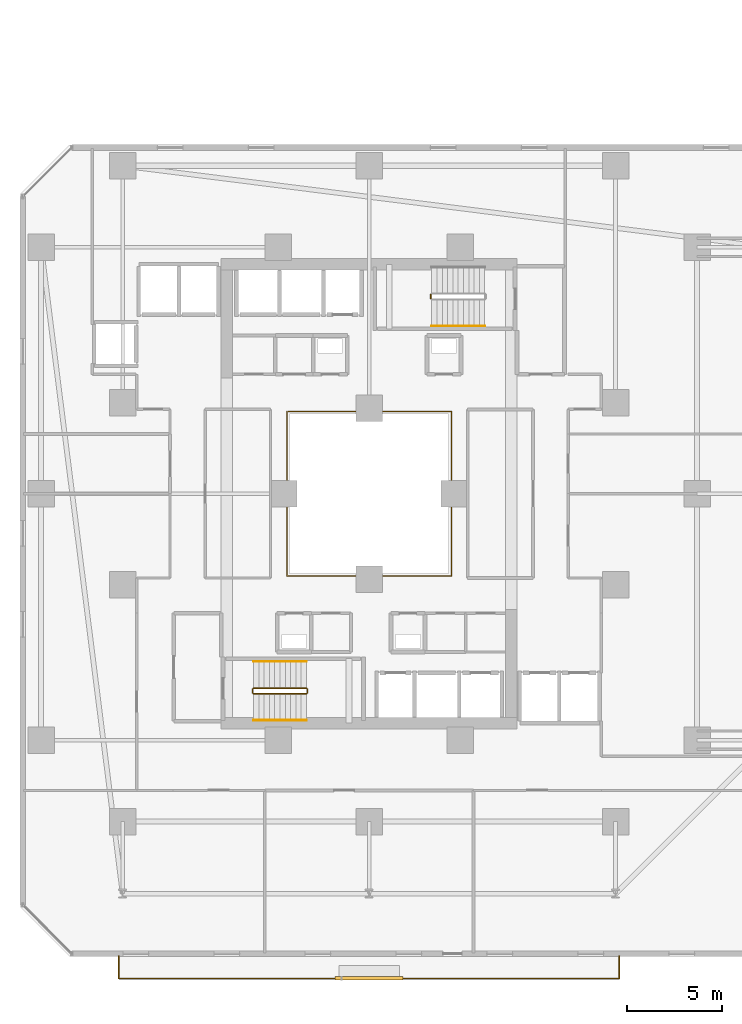
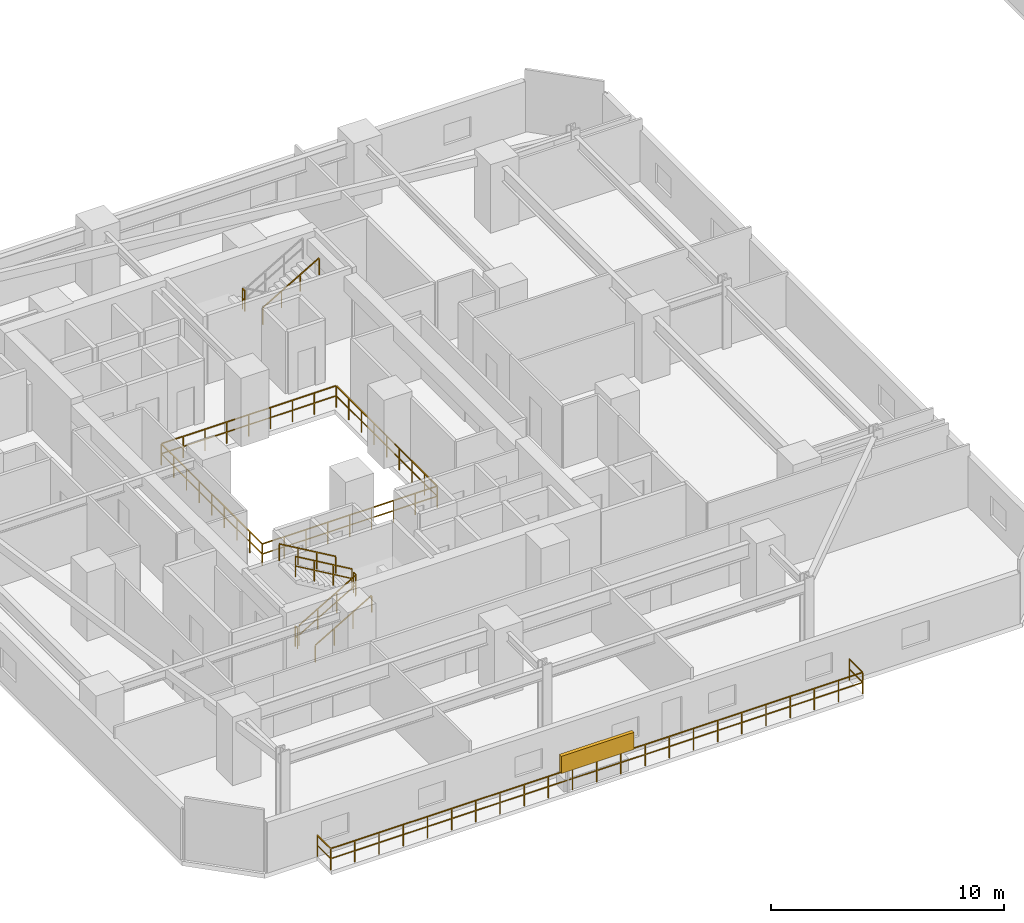
# One storey, part 33 of 36: 10 railings, 1 shading device.
"""IFC4 building model written with IfcOpenShell, lengths in metres."""

from ifc_helpers import new_model, si_unit, direction, frame, origin, origin_2d, place, context, subcontext, project, spatial, rectangle, extrude, material, type_object, element, save


model = new_model("IFC4")

# Units and contexts
model_context = context("Model", 3, precision=1e-05, world=origin(), true_north=direction((0.0, 1.0)))
body_context = subcontext(model_context, "Body", "Model", "MODEL_VIEW")
ifc_project = project(units=[si_unit("LENGTHUNIT", "METRE"), si_unit("AREAUNIT", "SQUARE_METRE"), si_unit("VOLUMEUNIT", "CUBIC_METRE"), si_unit("PLANEANGLEUNIT", "RADIAN"), si_unit("MASSUNIT", "GRAM", prefix="KILO")], contexts=[model_context])

# Site, building, storey
site_placement = place(None, origin())
site = spatial("IfcSite", under=ifc_project, at=site_placement, CompositionType="ELEMENT")
building_placement = place(site_placement, origin())
building = spatial("IfcBuilding", under=site, at=building_placement, Name="Thornwick Lancets Civic Towers", CompositionType="ELEMENT")
storey_placement = place(building_placement, frame((0.0, 0.0, 68.10009765625)))
storey = spatial("IfcBuildingStorey", under=building, at=storey_placement, Name="L17", CompositionType="ELEMENT", Elevation=68.10009765625)

# Railings
ifc_material_1 = material(Name="Laminated glass and bronze steel S355", Category="steel")
railing_type_1 = type_object("IfcRailingType", Name="RAIL_ATRIUM_GUARD", PredefinedType="BALUSTRADE", material=ifc_material_1)
railing_1_placement = place(storey_placement, frame((21.159912109375, 22.659912109375, 0.0)))
element("IfcRailing", 1, at=railing_1_placement, inside=storey, type_object=railing_type_1, Name="L17 Tower A Central Atrium Guard Balustrade", PredefinedType="BALUSTRADE", context=body_context, shape_type="SweptSolid", body=[
    extrude(rectangle(XDim=0.048095703125, YDim=0.048095703125, at=origin_2d()), frame((0.0, 0.0, 1.1259765625), z_axis=(1.0, 0.0, 0.0), x_axis=(0.0, 1.0, 0.0)), (0.0, 0.0, 1.0), 8.64892578125),
    extrude(rectangle(XDim=0.0419921875, YDim=0.0419921875, at=origin_2d()), frame((0.03759765625, 0.0, 0.597900390625), z_axis=(1.0, 0.0, 0.0), x_axis=(0.0, 1.0, 0.0)), (0.0, 0.0, 1.0), 1.010009765625),
    extrude(rectangle(XDim=0.0419921875, YDim=0.0419921875, at=origin_2d()), frame((1.12255859375, 0.0, 0.597900390625), z_axis=(1.0, 0.0, 0.0), x_axis=(0.0, 1.0, 0.0)), (0.0, 0.0, 1.0), 1.010009765625),
    extrude(rectangle(XDim=0.0419921875, YDim=0.0419921875, at=origin_2d()), frame((2.20751953125, 0.0, 0.597900390625), z_axis=(1.0, 0.0, 0.0), x_axis=(0.0, 1.0, 0.0)), (0.0, 0.0, 1.0), 1.010009765625),
    extrude(rectangle(XDim=0.0419921875, YDim=0.0419921875, at=origin_2d()), frame((3.29248046875, 0.0, 0.597900390625), z_axis=(1.0, 0.0, 0.0), x_axis=(0.0, 1.0, 0.0)), (0.0, 0.0, 1.0), 1.010009765625),
    extrude(rectangle(XDim=0.0419921875, YDim=0.0419921875, at=origin_2d()), frame((4.377685546875, 0.0, 0.597900390625), z_axis=(1.0, 0.0, 0.0), x_axis=(0.0, 1.0, 0.0)), (0.0, 0.0, 1.0), 1.010009765625),
    extrude(rectangle(XDim=0.0419921875, YDim=0.0419921875, at=origin_2d()), frame((5.462646484375, 0.0, 0.597900390625), z_axis=(1.0, 0.0, 0.0), x_axis=(0.0, 1.0, 0.0)), (0.0, 0.0, 1.0), 1.010009765625),
    extrude(rectangle(XDim=0.0419921875, YDim=0.0419921875, at=origin_2d()), frame((6.547607421875, 0.0, 0.597900390625), z_axis=(1.0, 0.0, 0.0), x_axis=(0.0, 1.0, 0.0)), (0.0, 0.0, 1.0), 1.010009765625),
    extrude(rectangle(XDim=0.0419921875, YDim=0.0419921875, at=origin_2d()), frame((7.632568359375, 0.0, 0.597900390625), z_axis=(1.0, 0.0, 0.0), x_axis=(0.0, 1.0, 0.0)), (0.0, 0.0, 1.0), 1.010009765625),
    extrude(rectangle(XDim=0.048095703125, YDim=0.048095703125, at=origin_2d()), frame((8.68017578125, 0.03125, 1.1259765625), z_axis=(0.0, 1.0, 0.0), x_axis=(-1.0, 0.0, 0.0)), (0.0, 0.0, 1.0), 8.61767578125),
    extrude(rectangle(XDim=0.0419921875, YDim=0.0419921875, at=origin_2d()), frame((8.68017578125, 0.03759765625, 0.597900390625), z_axis=(0.0, 1.0, 0.0), x_axis=(-1.0, 0.0, 0.0)), (0.0, 0.0, 1.0), 1.010009765625),
    extrude(rectangle(XDim=0.0419921875, YDim=0.0419921875, at=origin_2d()), frame((8.68017578125, 1.12255859375, 0.597900390625), z_axis=(0.0, 1.0, 0.0), x_axis=(-1.0, 0.0, 0.0)), (0.0, 0.0, 1.0), 1.010009765625),
    extrude(rectangle(XDim=0.0419921875, YDim=0.0419921875, at=origin_2d()), frame((8.68017578125, 2.20751953125, 0.597900390625), z_axis=(0.0, 1.0, 0.0), x_axis=(-1.0, 0.0, 0.0)), (0.0, 0.0, 1.0), 1.010009765625),
    extrude(rectangle(XDim=0.0419921875, YDim=0.0419921875, at=origin_2d()), frame((8.68017578125, 3.29248046875, 0.597900390625), z_axis=(0.0, 1.0, 0.0), x_axis=(-1.0, 0.0, 0.0)), (0.0, 0.0, 1.0), 1.010009765625),
    extrude(rectangle(XDim=0.0419921875, YDim=0.0419921875, at=origin_2d()), frame((8.68017578125, 4.377685546875, 0.597900390625), z_axis=(0.0, 1.0, 0.0), x_axis=(-1.0, 0.0, 0.0)), (0.0, 0.0, 1.0), 1.010009765625),
    extrude(rectangle(XDim=0.0419921875, YDim=0.0419921875, at=origin_2d()), frame((8.68017578125, 5.462646484375, 0.597900390625), z_axis=(0.0, 1.0, 0.0), x_axis=(-1.0, 0.0, 0.0)), (0.0, 0.0, 1.0), 1.010009765625),
    extrude(rectangle(XDim=0.0419921875, YDim=0.0419921875, at=origin_2d()), frame((8.68017578125, 6.547607421875, 0.597900390625), z_axis=(0.0, 1.0, 0.0), x_axis=(-1.0, 0.0, 0.0)), (0.0, 0.0, 1.0), 1.010009765625),
    extrude(rectangle(XDim=0.0419921875, YDim=0.0419921875, at=origin_2d()), frame((8.68017578125, 7.632568359375, 0.597900390625), z_axis=(0.0, 1.0, 0.0), x_axis=(-1.0, 0.0, 0.0)), (0.0, 0.0, 1.0), 1.010009765625),
    extrude(rectangle(XDim=0.048095703125, YDim=0.048095703125, at=origin_2d()), frame((8.64892578125, 8.68017578125, 1.1259765625), z_axis=(-1.0, 0.0, 0.0), x_axis=(0.0, -1.0, 0.0)), (0.0, 0.0, 1.0), 8.61767578125),
    extrude(rectangle(XDim=0.0419921875, YDim=0.0419921875, at=origin_2d()), frame((8.642578125, 8.68017578125, 0.597900390625), z_axis=(-1.0, 0.0, 0.0), x_axis=(0.0, -1.0, 0.0)), (0.0, 0.0, 1.0), 1.010009765625),
    extrude(rectangle(XDim=0.0419921875, YDim=0.0419921875, at=origin_2d()), frame((7.5576171875, 8.68017578125, 0.597900390625), z_axis=(-1.0, 0.0, 0.0), x_axis=(0.0, -1.0, 0.0)), (0.0, 0.0, 1.0), 1.010009765625),
    extrude(rectangle(XDim=0.0419921875, YDim=0.0419921875, at=origin_2d()), frame((6.47265625, 8.68017578125, 0.597900390625), z_axis=(-1.0, 0.0, 0.0), x_axis=(0.0, -1.0, 0.0)), (0.0, 0.0, 1.0), 1.010009765625),
    extrude(rectangle(XDim=0.0419921875, YDim=0.0419921875, at=origin_2d()), frame((5.3876953125, 8.68017578125, 0.597900390625), z_axis=(-1.0, 0.0, 0.0), x_axis=(0.0, -1.0, 0.0)), (0.0, 0.0, 1.0), 1.010009765625),
    extrude(rectangle(XDim=0.0419921875, YDim=0.0419921875, at=origin_2d()), frame((4.302490234375, 8.68017578125, 0.597900390625), z_axis=(-1.0, 0.0, 0.0), x_axis=(0.0, -1.0, 0.0)), (0.0, 0.0, 1.0), 1.010009765625),
    extrude(rectangle(XDim=0.0419921875, YDim=0.0419921875, at=origin_2d()), frame((3.217529296875, 8.68017578125, 0.597900390625), z_axis=(-1.0, 0.0, 0.0), x_axis=(0.0, -1.0, 0.0)), (0.0, 0.0, 1.0), 1.010009765625),
    extrude(rectangle(XDim=0.0419921875, YDim=0.0419921875, at=origin_2d()), frame((2.132568359375, 8.68017578125, 0.597900390625), z_axis=(-1.0, 0.0, 0.0), x_axis=(0.0, -1.0, 0.0)), (0.0, 0.0, 1.0), 1.010009765625),
    extrude(rectangle(XDim=0.0419921875, YDim=0.0419921875, at=origin_2d()), frame((1.047607421875, 8.68017578125, 0.597900390625), z_axis=(-1.0, 0.0, 0.0), x_axis=(0.0, -1.0, 0.0)), (0.0, 0.0, 1.0), 1.010009765625),
    extrude(rectangle(XDim=0.048095703125, YDim=0.048095703125, at=origin_2d()), frame((0.0, 8.64892578125, 1.1259765625), z_axis=(0.0, -1.0, 0.0), x_axis=(1.0, 0.0, 0.0)), (0.0, 0.0, 1.0), 8.64892578125),
    extrude(rectangle(XDim=0.0419921875, YDim=0.0419921875, at=origin_2d()), frame((0.0, 8.642578125, 0.597900390625), z_axis=(0.0, -1.0, 0.0), x_axis=(1.0, 0.0, 0.0)), (0.0, 0.0, 1.0), 1.010009765625),
    extrude(rectangle(XDim=0.0419921875, YDim=0.0419921875, at=origin_2d()), frame((0.0, 7.5576171875, 0.597900390625), z_axis=(0.0, -1.0, 0.0), x_axis=(1.0, 0.0, 0.0)), (0.0, 0.0, 1.0), 1.010009765625),
    extrude(rectangle(XDim=0.0419921875, YDim=0.0419921875, at=origin_2d()), frame((0.0, 6.47265625, 0.597900390625), z_axis=(0.0, -1.0, 0.0), x_axis=(1.0, 0.0, 0.0)), (0.0, 0.0, 1.0), 1.010009765625),
    extrude(rectangle(XDim=0.0419921875, YDim=0.0419921875, at=origin_2d()), frame((0.0, 5.3876953125, 0.597900390625), z_axis=(0.0, -1.0, 0.0), x_axis=(1.0, 0.0, 0.0)), (0.0, 0.0, 1.0), 1.010009765625),
    extrude(rectangle(XDim=0.0419921875, YDim=0.0419921875, at=origin_2d()), frame((0.0, 4.302490234375, 0.597900390625), z_axis=(0.0, -1.0, 0.0), x_axis=(1.0, 0.0, 0.0)), (0.0, 0.0, 1.0), 1.010009765625),
    extrude(rectangle(XDim=0.0419921875, YDim=0.0419921875, at=origin_2d()), frame((0.0, 3.217529296875, 0.597900390625), z_axis=(0.0, -1.0, 0.0), x_axis=(1.0, 0.0, 0.0)), (0.0, 0.0, 1.0), 1.010009765625),
    extrude(rectangle(XDim=0.0419921875, YDim=0.0419921875, at=origin_2d()), frame((0.0, 2.132568359375, 0.597900390625), z_axis=(0.0, -1.0, 0.0), x_axis=(1.0, 0.0, 0.0)), (0.0, 0.0, 1.0), 1.010009765625),
    extrude(rectangle(XDim=0.0419921875, YDim=0.0419921875, at=origin_2d()), frame((0.0, 1.047607421875, 0.597900390625), z_axis=(0.0, -1.0, 0.0), x_axis=(1.0, 0.0, 0.0)), (0.0, 0.0, 1.0), 1.010009765625),
    extrude(rectangle(XDim=0.0419921875, YDim=0.0419921875, at=origin_2d()), origin(), (0.0, 0.0, 1.0), 1.095703125),
    extrude(rectangle(XDim=0.0419921875, YDim=0.0419921875, at=origin_2d()), frame((1.0849609375, 0.0, 0.0)), (0.0, 0.0, 1.0), 1.095703125),
    extrude(rectangle(XDim=0.0419921875, YDim=0.0419921875, at=origin_2d()), frame((2.169921875, 0.0, 0.0)), (0.0, 0.0, 1.0), 1.095703125),
    extrude(rectangle(XDim=0.0419921875, YDim=0.0419921875, at=origin_2d()), frame((3.255126953125, 0.0, 0.0)), (0.0, 0.0, 1.0), 1.095703125),
    extrude(rectangle(XDim=0.0419921875, YDim=0.0419921875, at=origin_2d()), frame((4.340087890625, 0.0, 0.0)), (0.0, 0.0, 1.0), 1.095703125),
    extrude(rectangle(XDim=0.0419921875, YDim=0.0419921875, at=origin_2d()), frame((5.425048828125, 0.0, 0.0)), (0.0, 0.0, 1.0), 1.095703125),
    extrude(rectangle(XDim=0.0419921875, YDim=0.0419921875, at=origin_2d()), frame((6.51025390625, 0.0, 0.0)), (0.0, 0.0, 1.0), 1.095703125),
    extrude(rectangle(XDim=0.0419921875, YDim=0.0419921875, at=origin_2d()), frame((7.59521484375, 0.0, 0.0)), (0.0, 0.0, 1.0), 1.095703125),
    extrude(rectangle(XDim=0.0419921875, YDim=0.0419921875, at=origin_2d()), frame((8.68017578125, 0.0, 0.0)), (0.0, 0.0, 1.0), 1.095703125),
    extrude(rectangle(XDim=0.0419921875, YDim=0.0419921875, at=origin_2d()), frame((8.68017578125, 1.0849609375, 0.0)), (0.0, 0.0, 1.0), 1.095703125),
    extrude(rectangle(XDim=0.0419921875, YDim=0.0419921875, at=origin_2d()), frame((8.68017578125, 2.169921875, 0.0)), (0.0, 0.0, 1.0), 1.095703125),
    extrude(rectangle(XDim=0.0419921875, YDim=0.0419921875, at=origin_2d()), frame((8.68017578125, 3.255126953125, 0.0)), (0.0, 0.0, 1.0), 1.095703125),
    extrude(rectangle(XDim=0.0419921875, YDim=0.0419921875, at=origin_2d()), frame((8.68017578125, 4.340087890625, 0.0)), (0.0, 0.0, 1.0), 1.095703125),
    extrude(rectangle(XDim=0.0419921875, YDim=0.0419921875, at=origin_2d()), frame((8.68017578125, 5.425048828125, 0.0)), (0.0, 0.0, 1.0), 1.095703125),
    extrude(rectangle(XDim=0.0419921875, YDim=0.0419921875, at=origin_2d()), frame((8.68017578125, 6.51025390625, 0.0)), (0.0, 0.0, 1.0), 1.095703125),
    extrude(rectangle(XDim=0.0419921875, YDim=0.0419921875, at=origin_2d()), frame((8.68017578125, 7.59521484375, 0.0)), (0.0, 0.0, 1.0), 1.095703125),
    extrude(rectangle(XDim=0.0419921875, YDim=0.0419921875, at=origin_2d()), frame((8.68017578125, 8.68017578125, 0.0)), (0.0, 0.0, 1.0), 1.095703125),
    extrude(rectangle(XDim=0.0419921875, YDim=0.0419921875, at=origin_2d()), frame((7.59521484375, 8.68017578125, 0.0)), (0.0, 0.0, 1.0), 1.095703125),
    extrude(rectangle(XDim=0.0419921875, YDim=0.0419921875, at=origin_2d()), frame((6.51025390625, 8.68017578125, 0.0)), (0.0, 0.0, 1.0), 1.095703125),
    extrude(rectangle(XDim=0.0419921875, YDim=0.0419921875, at=origin_2d()), frame((5.425048828125, 8.68017578125, 0.0)), (0.0, 0.0, 1.0), 1.095703125),
    extrude(rectangle(XDim=0.0419921875, YDim=0.0419921875, at=origin_2d()), frame((4.340087890625, 8.68017578125, 0.0)), (0.0, 0.0, 1.0), 1.095703125),
    extrude(rectangle(XDim=0.0419921875, YDim=0.0419921875, at=origin_2d()), frame((3.255126953125, 8.68017578125, 0.0)), (0.0, 0.0, 1.0), 1.095703125),
    extrude(rectangle(XDim=0.0419921875, YDim=0.0419921875, at=origin_2d()), frame((2.169921875, 8.68017578125, 0.0)), (0.0, 0.0, 1.0), 1.095703125),
    extrude(rectangle(XDim=0.0419921875, YDim=0.0419921875, at=origin_2d()), frame((1.0849609375, 8.68017578125, 0.0)), (0.0, 0.0, 1.0), 1.095703125),
    extrude(rectangle(XDim=0.0419921875, YDim=0.0419921875, at=origin_2d()), frame((0.0, 8.68017578125, 0.0)), (0.0, 0.0, 1.0), 1.095703125),
    extrude(rectangle(XDim=0.0419921875, YDim=0.0419921875, at=origin_2d()), frame((0.0, 7.59521484375, 0.0)), (0.0, 0.0, 1.0), 1.095703125),
    extrude(rectangle(XDim=0.0419921875, YDim=0.0419921875, at=origin_2d()), frame((0.0, 6.51025390625, 0.0)), (0.0, 0.0, 1.0), 1.095703125),
    extrude(rectangle(XDim=0.0419921875, YDim=0.0419921875, at=origin_2d()), frame((0.0, 5.425048828125, 0.0)), (0.0, 0.0, 1.0), 1.095703125),
    extrude(rectangle(XDim=0.0419921875, YDim=0.0419921875, at=origin_2d()), frame((0.0, 4.340087890625, 0.0)), (0.0, 0.0, 1.0), 1.095703125),
    extrude(rectangle(XDim=0.0419921875, YDim=0.0419921875, at=origin_2d()), frame((0.0, 3.255126953125, 0.0)), (0.0, 0.0, 1.0), 1.095703125),
    extrude(rectangle(XDim=0.0419921875, YDim=0.0419921875, at=origin_2d()), frame((0.0, 2.169921875, 0.0)), (0.0, 0.0, 1.0), 1.095703125),
    extrude(rectangle(XDim=0.0419921875, YDim=0.0419921875, at=origin_2d()), frame((0.0, 1.0849609375, 0.0)), (0.0, 0.0, 1.0), 1.095703125),
])
ifc_material_2 = material(Name="Brushed stainless steel S355", Category="steel")
railing_type_2 = type_object("IfcRailingType", Name="RAIL_HANDRAIL", PredefinedType="HANDRAIL", material=ifc_material_2)
railing_2_placement = place(storey_placement, frame((19.39990234375, 15.050048828125, 0.16357421875)))
element("IfcRailing", 2, at=railing_2_placement, inside=storey, type_object=railing_type_2, Name="L17 ST-A1 stair handrail 1", PredefinedType="HANDRAIL", context=body_context, shape_type="SweptSolid", body=[
    extrude(rectangle(XDim=0.048095703125, YDim=0.048095703125, at=origin_2d()), frame((0.0, 0.0, 0.8857421875), z_axis=(0.863393664356, 0.0, 0.504530851732), x_axis=(0.0, 1.0, 0.0)), (0.0, 0.0, 1.0), 3.2431640625),
    extrude(rectangle(XDim=0.0419921875, YDim=0.0419921875, at=origin_2d()), origin(), (0.0, 0.0, 1.0), 0.855712890625),
    extrude(rectangle(XDim=0.0419921875, YDim=0.0419921875, at=origin_2d()), frame((0.933349609375, 0.0, 0.54541015625)), (0.0, 0.0, 1.0), 0.855712890625),
    extrude(rectangle(XDim=0.0419921875, YDim=0.0419921875, at=origin_2d()), frame((1.86669921875, 0.0, 1.0908203125)), (0.0, 0.0, 1.0), 0.855712890625),
    extrude(rectangle(XDim=0.0419921875, YDim=0.0419921875, at=origin_2d()), frame((2.800048828125, 0.0, 1.63623046875)), (0.0, 0.0, 1.0), 0.855712890625),
])
railing_3_placement = place(storey_placement, frame((22.199951171875, 18.14990234375, 1.963623046875)))
element("IfcRailing", 3, at=railing_3_placement, inside=storey, type_object=railing_type_2, Name="L17 ST-A1 stair handrail 2", PredefinedType="HANDRAIL", context=body_context, shape_type="SweptSolid", body=[
    extrude(rectangle(XDim=0.048095703125, YDim=0.048095703125, at=origin_2d()), frame((0.0, 0.0, 0.8857421875), z_axis=(-0.863393664356, 0.0, 0.504530851732), x_axis=(0.0, -1.0, 0.0)), (0.0, 0.0, 1.0), 3.2431640625),
    extrude(rectangle(XDim=0.0419921875, YDim=0.0419921875, at=origin_2d()), origin(), (0.0, 0.0, 1.0), 0.855712890625),
    extrude(rectangle(XDim=0.0419921875, YDim=0.0419921875, at=origin_2d()), frame((-0.933349609375, 0.0, 0.54541015625)), (0.0, 0.0, 1.0), 0.855712890625),
    extrude(rectangle(XDim=0.0419921875, YDim=0.0419921875, at=origin_2d()), frame((-1.86669921875, 0.0, 1.0908203125)), (0.0, 0.0, 1.0), 0.855712890625),
    extrude(rectangle(XDim=0.0419921875, YDim=0.0419921875, at=origin_2d()), frame((-2.800048828125, 0.0, 1.63623046875)), (0.0, 0.0, 1.0), 0.855712890625),
])
railing_4_placement = place(storey_placement, frame((28.800048828125, 35.85009765625, 1.963623046875)))
element("IfcRailing", 4, at=railing_4_placement, inside=storey, type_object=railing_type_2, Name="L17 ST-A2 stair handrail 2", PredefinedType="HANDRAIL", context=body_context, shape_type="SweptSolid", body=[
    extrude(rectangle(XDim=0.048095703125, YDim=0.048095703125, at=origin_2d()), frame((0.0, 0.0, 0.8857421875), z_axis=(0.863393664356, 0.0, 0.504530851732), x_axis=(0.0, 1.0, 0.0)), (0.0, 0.0, 1.0), 3.2431640625),
    extrude(rectangle(XDim=0.0419921875, YDim=0.0419921875, at=origin_2d()), origin(), (0.0, 0.0, 1.0), 0.855712890625),
    extrude(rectangle(XDim=0.0419921875, YDim=0.0419921875, at=origin_2d()), frame((0.933349609375, 0.0, 0.54541015625)), (0.0, 0.0, 1.0), 0.855712890625),
    extrude(rectangle(XDim=0.0419921875, YDim=0.0419921875, at=origin_2d()), frame((1.86669921875, 0.0, 1.0908203125)), (0.0, 0.0, 1.0), 0.855712890625),
    extrude(rectangle(XDim=0.0419921875, YDim=0.0419921875, at=origin_2d()), frame((2.800048828125, 0.0, 1.63623046875)), (0.0, 0.0, 1.0), 0.855712890625),
])
ifc_material_3 = material(Name="Steel S355JR", Category="steel")
railing_type_3 = type_object("IfcRailingType", Name="RAIL_STAIR_GUARD", PredefinedType="GUARDRAIL", material=ifc_material_3)
railing_5_placement = place(storey_placement, frame((19.39990234375, 16.449951171875, 0.16357421875)))
element("IfcRailing", 5, at=railing_5_placement, inside=storey, type_object=railing_type_3, Name="L17 ST-A1 stair guard 1", PredefinedType="GUARDRAIL", context=body_context, shape_type="SweptSolid", body=[
    extrude(rectangle(XDim=0.048095703125, YDim=0.048095703125, at=origin_2d()), frame((0.0, 0.0, 1.076171875), z_axis=(0.863393664356, 0.0, 0.504530851732), x_axis=(0.0, 1.0, 0.0)), (0.0, 0.0, 1.0), 3.2431640625),
    extrude(rectangle(XDim=0.0419921875, YDim=0.0419921875, at=origin_2d()), frame((0.032470703125, 0.0, 0.591064453125), z_axis=(0.863393664356, 0.0, 0.504530851732), x_axis=(0.0, 1.0, 0.0)), (0.0, 0.0, 1.0), 1.006103515625),
    extrude(rectangle(XDim=0.0419921875, YDim=0.0419921875, at=origin_2d()), frame((0.9658203125, 0.0, 1.136474609375), z_axis=(0.863393664356, 0.0, 0.504530851732), x_axis=(0.0, 1.0, 0.0)), (0.0, 0.0, 1.0), 1.006103515625),
    extrude(rectangle(XDim=0.0419921875, YDim=0.0419921875, at=origin_2d()), frame((1.899169921875, 0.0, 1.681884765625), z_axis=(0.863393664356, 0.0, 0.504530851732), x_axis=(0.0, 1.0, 0.0)), (0.0, 0.0, 1.0), 1.006103515625),
    extrude(rectangle(XDim=0.0419921875, YDim=0.0419921875, at=origin_2d()), origin(), (0.0, 0.0, 1.0), 1.0458984375),
    extrude(rectangle(XDim=0.0419921875, YDim=0.0419921875, at=origin_2d()), frame((0.933349609375, 0.0, 0.54541015625)), (0.0, 0.0, 1.0), 1.0458984375),
    extrude(rectangle(XDim=0.0419921875, YDim=0.0419921875, at=origin_2d()), frame((1.86669921875, 0.0, 1.0908203125)), (0.0, 0.0, 1.0), 1.0458984375),
    extrude(rectangle(XDim=0.0419921875, YDim=0.0419921875, at=origin_2d()), frame((2.800048828125, 0.0, 1.63623046875)), (0.0, 0.0, 1.0), 1.0458984375),
])
railing_6_placement = place(storey_placement, frame((22.25, 16.5, 1.7998046875)))
element("IfcRailing", 6, at=railing_6_placement, inside=storey, type_object=railing_type_3, Name="L17 ST-A1 stair guard 2", PredefinedType="GUARDRAIL", context=body_context, shape_type="SweptSolid", body=[
    extrude(rectangle(XDim=0.048095703125, YDim=0.048095703125, at=origin_2d()), frame((0.0, 0.0, 1.076171875), z_axis=(0.0, 1.0, 0.0), x_axis=(-1.0, 0.0, 0.0)), (0.0, 0.0, 1.0), 0.199951171875),
    extrude(rectangle(XDim=0.0419921875, YDim=0.0419921875, at=origin_2d()), frame((0.0, 0.03759765625, 0.572021484375), z_axis=(0.0, 1.0, 0.0), x_axis=(-1.0, 0.0, 0.0)), (0.0, 0.0, 1.0), 0.125),
    extrude(rectangle(XDim=0.0419921875, YDim=0.0419921875, at=origin_2d()), origin(), (0.0, 0.0, 1.0), 1.0458984375),
    extrude(rectangle(XDim=0.0419921875, YDim=0.0419921875, at=origin_2d()), frame((0.0, 0.199951171875, 0.0)), (0.0, 0.0, 1.0), 1.0458984375),
])
railing_7_placement = place(storey_placement, frame((22.199951171875, 16.75, 1.963623046875)))
element("IfcRailing", 7, at=railing_7_placement, inside=storey, type_object=railing_type_3, Name="L17 ST-A1 stair guard 3", PredefinedType="GUARDRAIL", context=body_context, shape_type="SweptSolid", body=[
    extrude(rectangle(XDim=0.048095703125, YDim=0.048095703125, at=origin_2d()), frame((0.0, 0.0, 1.076171875), z_axis=(-0.863393664356, 0.0, 0.504530851732), x_axis=(0.0, -1.0, 0.0)), (0.0, 0.0, 1.0), 3.2431640625),
    extrude(rectangle(XDim=0.0419921875, YDim=0.0419921875, at=origin_2d()), frame((-0.032470703125, 0.0, 0.591064453125), z_axis=(-0.863393664356, 0.0, 0.504530851732), x_axis=(0.0, -1.0, 0.0)), (0.0, 0.0, 1.0), 1.006103515625),
    extrude(rectangle(XDim=0.0419921875, YDim=0.0419921875, at=origin_2d()), frame((-0.9658203125, 0.0, 1.136474609375), z_axis=(-0.863393664356, 0.0, 0.504530851732), x_axis=(0.0, -1.0, 0.0)), (0.0, 0.0, 1.0), 1.006103515625),
    extrude(rectangle(XDim=0.0419921875, YDim=0.0419921875, at=origin_2d()), frame((-1.899169921875, 0.0, 1.681884765625), z_axis=(-0.863393664356, 0.0, 0.504530851732), x_axis=(0.0, -1.0, 0.0)), (0.0, 0.0, 1.0), 1.006103515625),
    extrude(rectangle(XDim=0.0419921875, YDim=0.0419921875, at=origin_2d()), origin(), (0.0, 0.0, 1.0), 1.0458984375),
    extrude(rectangle(XDim=0.0419921875, YDim=0.0419921875, at=origin_2d()), frame((-0.933349609375, 0.0, 0.54541015625)), (0.0, 0.0, 1.0), 1.0458984375),
    extrude(rectangle(XDim=0.0419921875, YDim=0.0419921875, at=origin_2d()), frame((-1.86669921875, 0.0, 1.0908203125)), (0.0, 0.0, 1.0), 1.0458984375),
    extrude(rectangle(XDim=0.0419921875, YDim=0.0419921875, at=origin_2d()), frame((-2.800048828125, 0.0, 1.63623046875)), (0.0, 0.0, 1.0), 1.0458984375),
])
railing_8_placement = place(storey_placement, frame((19.35009765625, 16.5, 0.0)))
element("IfcRailing", 8, at=railing_8_placement, inside=storey, type_object=railing_type_3, Name="L17 ST-A1 stair guard 4", PredefinedType="GUARDRAIL", context=body_context, shape_type="SweptSolid", body=[
    extrude(rectangle(XDim=0.048095703125, YDim=0.048095703125, at=origin_2d()), frame((0.0, 0.0, 1.076171875), z_axis=(0.0, 1.0, 0.0), x_axis=(-1.0, 0.0, 0.0)), (0.0, 0.0, 1.0), 0.199951171875),
    extrude(rectangle(XDim=0.0419921875, YDim=0.0419921875, at=origin_2d()), frame((0.0, 0.03759765625, 0.572021484375), z_axis=(0.0, 1.0, 0.0), x_axis=(-1.0, 0.0, 0.0)), (0.0, 0.0, 1.0), 0.125),
    extrude(rectangle(XDim=0.0419921875, YDim=0.0419921875, at=origin_2d()), origin(), (0.0, 0.0, 1.0), 1.0458984375),
    extrude(rectangle(XDim=0.0419921875, YDim=0.0419921875, at=origin_2d()), frame((0.0, 0.199951171875, 0.0)), (0.0, 0.0, 1.0), 1.0458984375),
])
railing_9_placement = place(storey_placement, frame((28.75, 37.5, 1.7998046875)))
element("IfcRailing", 9, at=railing_9_placement, inside=storey, type_object=railing_type_3, Name="L17 ST-A2 stair guard 2", PredefinedType="GUARDRAIL", context=body_context, shape_type="SweptSolid", body=[
    extrude(rectangle(XDim=0.048095703125, YDim=0.048095703125, at=origin_2d()), frame((0.0, 0.0, 1.076171875), z_axis=(0.0, -1.0, 0.0), x_axis=(1.0, 0.0, 0.0)), (0.0, 0.0, 1.0), 0.199951171875),
    extrude(rectangle(XDim=0.0419921875, YDim=0.0419921875, at=origin_2d()), frame((0.0, -0.03759765625, 0.572021484375), z_axis=(0.0, -1.0, 0.0), x_axis=(1.0, 0.0, 0.0)), (0.0, 0.0, 1.0), 0.125),
    extrude(rectangle(XDim=0.0419921875, YDim=0.0419921875, at=origin_2d()), origin(), (0.0, 0.0, 1.0), 1.0458984375),
    extrude(rectangle(XDim=0.0419921875, YDim=0.0419921875, at=origin_2d()), frame((0.0, -0.199951171875, 0.0)), (0.0, 0.0, 1.0), 1.0458984375),
])
ifc_material_4 = material(Name="Terracotta-capped laminated glass balustrade S355", Category="masonry")
railing_type_4 = type_object("IfcRailingType", Name="RAIL_TERR_GUARD", PredefinedType="GUARDRAIL", material=ifc_material_4)
railing_10_placement = place(storey_placement, frame((12.300048828125, 2.60009765625, 0.0)))
element("IfcRailing", 10, at=railing_10_placement, inside=storey, type_object=railing_type_4, Name="L17 Tower A Balcony Guard S", PredefinedType="GUARDRAIL", context=body_context, shape_type="SweptSolid", body=[
    extrude(rectangle(XDim=0.048095703125, YDim=0.048095703125, at=origin_2d()), frame((0.0, 0.0, 1.1259765625), z_axis=(0.0, -1.0, 0.0), x_axis=(1.0, 0.0, 0.0)), (0.0, 0.0, 1.0), 1.138916015625),
    extrude(rectangle(XDim=0.0419921875, YDim=0.0419921875, at=origin_2d()), frame((0.0, -0.03759765625, 0.597900390625), z_axis=(0.0, -1.0, 0.0), x_axis=(1.0, 0.0, 0.0)), (0.0, 0.0, 1.0), 1.09521484375),
    extrude(rectangle(XDim=0.048095703125, YDim=0.048095703125, at=origin_2d()), frame((0.03125, -1.170166015625, 1.1259765625), z_axis=(1.0, 0.0, 0.0), x_axis=(0.0, 1.0, 0.0)), (0.0, 0.0, 1.0), 26.33740234375),
    extrude(rectangle(XDim=0.0419921875, YDim=0.0419921875, at=origin_2d()), frame((0.03759765625, -1.170166015625, 0.597900390625), z_axis=(1.0, 0.0, 0.0), x_axis=(0.0, 1.0, 0.0)), (0.0, 0.0, 1.0), 1.125),
    extrude(rectangle(XDim=0.0419921875, YDim=0.0419921875, at=origin_2d()), frame((1.237548828125, -1.170166015625, 0.597900390625), z_axis=(1.0, 0.0, 0.0), x_axis=(0.0, 1.0, 0.0)), (0.0, 0.0, 1.0), 1.125),
    extrude(rectangle(XDim=0.0419921875, YDim=0.0419921875, at=origin_2d()), frame((2.4375, -1.170166015625, 0.597900390625), z_axis=(1.0, 0.0, 0.0), x_axis=(0.0, 1.0, 0.0)), (0.0, 0.0, 1.0), 1.125),
    extrude(rectangle(XDim=0.0419921875, YDim=0.0419921875, at=origin_2d()), frame((3.637451171875, -1.170166015625, 0.597900390625), z_axis=(1.0, 0.0, 0.0), x_axis=(0.0, 1.0, 0.0)), (0.0, 0.0, 1.0), 1.125),
    extrude(rectangle(XDim=0.0419921875, YDim=0.0419921875, at=origin_2d()), frame((4.83740234375, -1.170166015625, 0.597900390625), z_axis=(1.0, 0.0, 0.0), x_axis=(0.0, 1.0, 0.0)), (0.0, 0.0, 1.0), 1.125),
    extrude(rectangle(XDim=0.0419921875, YDim=0.0419921875, at=origin_2d()), frame((6.037353515625, -1.170166015625, 0.597900390625), z_axis=(1.0, 0.0, 0.0), x_axis=(0.0, 1.0, 0.0)), (0.0, 0.0, 1.0), 1.125),
    extrude(rectangle(XDim=0.0419921875, YDim=0.0419921875, at=origin_2d()), frame((7.237548828125, -1.170166015625, 0.597900390625), z_axis=(1.0, 0.0, 0.0), x_axis=(0.0, 1.0, 0.0)), (0.0, 0.0, 1.0), 1.125),
    extrude(rectangle(XDim=0.0419921875, YDim=0.0419921875, at=origin_2d()), frame((8.4375, -1.170166015625, 0.597900390625), z_axis=(1.0, 0.0, 0.0), x_axis=(0.0, 1.0, 0.0)), (0.0, 0.0, 1.0), 1.125),
    extrude(rectangle(XDim=0.0419921875, YDim=0.0419921875, at=origin_2d()), frame((9.637451171875, -1.170166015625, 0.597900390625), z_axis=(1.0, 0.0, 0.0), x_axis=(0.0, 1.0, 0.0)), (0.0, 0.0, 1.0), 1.125),
    extrude(rectangle(XDim=0.0419921875, YDim=0.0419921875, at=origin_2d()), frame((10.83740234375, -1.170166015625, 0.597900390625), z_axis=(1.0, 0.0, 0.0), x_axis=(0.0, 1.0, 0.0)), (0.0, 0.0, 1.0), 1.125),
    extrude(rectangle(XDim=0.0419921875, YDim=0.0419921875, at=origin_2d()), frame((12.037353515625, -1.170166015625, 0.597900390625), z_axis=(1.0, 0.0, 0.0), x_axis=(0.0, 1.0, 0.0)), (0.0, 0.0, 1.0), 1.125),
    extrude(rectangle(XDim=0.0419921875, YDim=0.0419921875, at=origin_2d()), frame((13.237548828125, -1.170166015625, 0.597900390625), z_axis=(1.0, 0.0, 0.0), x_axis=(0.0, 1.0, 0.0)), (0.0, 0.0, 1.0), 1.125),
    extrude(rectangle(XDim=0.0419921875, YDim=0.0419921875, at=origin_2d()), frame((14.4375, -1.170166015625, 0.597900390625), z_axis=(1.0, 0.0, 0.0), x_axis=(0.0, 1.0, 0.0)), (0.0, 0.0, 1.0), 1.125),
    extrude(rectangle(XDim=0.0419921875, YDim=0.0419921875, at=origin_2d()), frame((15.637451171875, -1.170166015625, 0.597900390625), z_axis=(1.0, 0.0, 0.0), x_axis=(0.0, 1.0, 0.0)), (0.0, 0.0, 1.0), 1.125),
    extrude(rectangle(XDim=0.0419921875, YDim=0.0419921875, at=origin_2d()), frame((16.83740234375, -1.170166015625, 0.597900390625), z_axis=(1.0, 0.0, 0.0), x_axis=(0.0, 1.0, 0.0)), (0.0, 0.0, 1.0), 1.125),
    extrude(rectangle(XDim=0.0419921875, YDim=0.0419921875, at=origin_2d()), frame((18.037353515625, -1.170166015625, 0.597900390625), z_axis=(1.0, 0.0, 0.0), x_axis=(0.0, 1.0, 0.0)), (0.0, 0.0, 1.0), 1.125),
    extrude(rectangle(XDim=0.0419921875, YDim=0.0419921875, at=origin_2d()), frame((19.2373046875, -1.170166015625, 0.597900390625), z_axis=(1.0, 0.0, 0.0), x_axis=(0.0, 1.0, 0.0)), (0.0, 0.0, 1.0), 1.125),
    extrude(rectangle(XDim=0.0419921875, YDim=0.0419921875, at=origin_2d()), frame((20.4375, -1.170166015625, 0.597900390625), z_axis=(1.0, 0.0, 0.0), x_axis=(0.0, 1.0, 0.0)), (0.0, 0.0, 1.0), 1.125),
    extrude(rectangle(XDim=0.0419921875, YDim=0.0419921875, at=origin_2d()), frame((21.637451171875, -1.170166015625, 0.597900390625), z_axis=(1.0, 0.0, 0.0), x_axis=(0.0, 1.0, 0.0)), (0.0, 0.0, 1.0), 1.125),
    extrude(rectangle(XDim=0.0419921875, YDim=0.0419921875, at=origin_2d()), frame((22.83740234375, -1.170166015625, 0.597900390625), z_axis=(1.0, 0.0, 0.0), x_axis=(0.0, 1.0, 0.0)), (0.0, 0.0, 1.0), 1.125),
    extrude(rectangle(XDim=0.0419921875, YDim=0.0419921875, at=origin_2d()), frame((24.037353515625, -1.170166015625, 0.597900390625), z_axis=(1.0, 0.0, 0.0), x_axis=(0.0, 1.0, 0.0)), (0.0, 0.0, 1.0), 1.125),
    extrude(rectangle(XDim=0.0419921875, YDim=0.0419921875, at=origin_2d()), frame((25.2373046875, -1.170166015625, 0.597900390625), z_axis=(1.0, 0.0, 0.0), x_axis=(0.0, 1.0, 0.0)), (0.0, 0.0, 1.0), 1.125),
    extrude(rectangle(XDim=0.048095703125, YDim=0.048095703125, at=origin_2d()), frame((26.39990234375, -1.138916015625, 1.1259765625), z_axis=(0.0, 1.0, 0.0), x_axis=(-1.0, 0.0, 0.0)), (0.0, 0.0, 1.0), 1.138916015625),
    extrude(rectangle(XDim=0.0419921875, YDim=0.0419921875, at=origin_2d()), frame((26.39990234375, -1.132568359375, 0.597900390625), z_axis=(0.0, 1.0, 0.0), x_axis=(-1.0, 0.0, 0.0)), (0.0, 0.0, 1.0), 1.09521484375),
    extrude(rectangle(XDim=0.0419921875, YDim=0.0419921875, at=origin_2d()), origin(), (0.0, 0.0, 1.0), 1.095703125),
    extrude(rectangle(XDim=0.0419921875, YDim=0.0419921875, at=origin_2d()), frame((0.0, -1.170166015625, 0.0)), (0.0, 0.0, 1.0), 1.095703125),
    extrude(rectangle(XDim=0.0419921875, YDim=0.0419921875, at=origin_2d()), frame((1.199951171875, -1.170166015625, 0.0)), (0.0, 0.0, 1.0), 1.095703125),
    extrude(rectangle(XDim=0.0419921875, YDim=0.0419921875, at=origin_2d()), frame((2.39990234375, -1.170166015625, 0.0)), (0.0, 0.0, 1.0), 1.095703125),
    extrude(rectangle(XDim=0.0419921875, YDim=0.0419921875, at=origin_2d()), frame((3.60009765625, -1.170166015625, 0.0)), (0.0, 0.0, 1.0), 1.095703125),
    extrude(rectangle(XDim=0.0419921875, YDim=0.0419921875, at=origin_2d()), frame((4.800048828125, -1.170166015625, 0.0)), (0.0, 0.0, 1.0), 1.095703125),
    extrude(rectangle(XDim=0.0419921875, YDim=0.0419921875, at=origin_2d()), frame((6.0, -1.170166015625, 0.0)), (0.0, 0.0, 1.0), 1.095703125),
    extrude(rectangle(XDim=0.0419921875, YDim=0.0419921875, at=origin_2d()), frame((7.199951171875, -1.170166015625, 0.0)), (0.0, 0.0, 1.0), 1.095703125),
    extrude(rectangle(XDim=0.0419921875, YDim=0.0419921875, at=origin_2d()), frame((8.39990234375, -1.170166015625, 0.0)), (0.0, 0.0, 1.0), 1.095703125),
    extrude(rectangle(XDim=0.0419921875, YDim=0.0419921875, at=origin_2d()), frame((9.599853515625, -1.170166015625, 0.0)), (0.0, 0.0, 1.0), 1.095703125),
    extrude(rectangle(XDim=0.0419921875, YDim=0.0419921875, at=origin_2d()), frame((10.800048828125, -1.170166015625, 0.0)), (0.0, 0.0, 1.0), 1.095703125),
    extrude(rectangle(XDim=0.0419921875, YDim=0.0419921875, at=origin_2d()), frame((12.0, -1.170166015625, 0.0)), (0.0, 0.0, 1.0), 1.095703125),
    extrude(rectangle(XDim=0.0419921875, YDim=0.0419921875, at=origin_2d()), frame((13.199951171875, -1.170166015625, 0.0)), (0.0, 0.0, 1.0), 1.095703125),
    extrude(rectangle(XDim=0.0419921875, YDim=0.0419921875, at=origin_2d()), frame((14.39990234375, -1.170166015625, 0.0)), (0.0, 0.0, 1.0), 1.095703125),
    extrude(rectangle(XDim=0.0419921875, YDim=0.0419921875, at=origin_2d()), frame((15.599853515625, -1.170166015625, 0.0)), (0.0, 0.0, 1.0), 1.095703125),
    extrude(rectangle(XDim=0.0419921875, YDim=0.0419921875, at=origin_2d()), frame((16.800048828125, -1.170166015625, 0.0)), (0.0, 0.0, 1.0), 1.095703125),
    extrude(rectangle(XDim=0.0419921875, YDim=0.0419921875, at=origin_2d()), frame((18.0, -1.170166015625, 0.0)), (0.0, 0.0, 1.0), 1.095703125),
    extrude(rectangle(XDim=0.0419921875, YDim=0.0419921875, at=origin_2d()), frame((19.199951171875, -1.170166015625, 0.0)), (0.0, 0.0, 1.0), 1.095703125),
    extrude(rectangle(XDim=0.0419921875, YDim=0.0419921875, at=origin_2d()), frame((20.39990234375, -1.170166015625, 0.0)), (0.0, 0.0, 1.0), 1.095703125),
    extrude(rectangle(XDim=0.0419921875, YDim=0.0419921875, at=origin_2d()), frame((21.599853515625, -1.170166015625, 0.0)), (0.0, 0.0, 1.0), 1.095703125),
    extrude(rectangle(XDim=0.0419921875, YDim=0.0419921875, at=origin_2d()), frame((22.7998046875, -1.170166015625, 0.0)), (0.0, 0.0, 1.0), 1.095703125),
    extrude(rectangle(XDim=0.0419921875, YDim=0.0419921875, at=origin_2d()), frame((24.0, -1.170166015625, 0.0)), (0.0, 0.0, 1.0), 1.095703125),
    extrude(rectangle(XDim=0.0419921875, YDim=0.0419921875, at=origin_2d()), frame((25.199951171875, -1.170166015625, 0.0)), (0.0, 0.0, 1.0), 1.095703125),
    extrude(rectangle(XDim=0.0419921875, YDim=0.0419921875, at=origin_2d()), frame((26.39990234375, -1.170166015625, 0.0)), (0.0, 0.0, 1.0), 1.095703125),
    extrude(rectangle(XDim=0.0419921875, YDim=0.0419921875, at=origin_2d()), frame((26.39990234375, 0.0, 0.0)), (0.0, 0.0, 1.0), 1.095703125),
])

# Shading device
ifc_material_5 = material(Name="Extruded terracotta baguette solar screen", Category="masonry")
shading_device_type = type_object("IfcShadingDeviceType", Name="SHADE_BAGUETTE", PredefinedType="JALOUSIE", material=ifc_material_5)
shading_device_placement = place(storey_placement, frame((25.5, 1.43994140625, 1.119873046875), z_axis=(0.0, 0.0, 1.0), x_axis=(1.0, 0.0, 0.0)))
element("IfcShadingDevice", 11, at=shading_device_placement, inside=storey, type_object=shading_device_type, Name="L17 Tower A Terracotta Baguette Screen S", PredefinedType="JALOUSIE", context=body_context, shape_type="SweptSolid", body=[
    extrude(rectangle(XDim=3.60009765625, YDim=0.179931640625, at=origin_2d()), origin(), (0.0, 0.0, 1.0), 0.89990234375),
])

save(model, "model.ifc")
